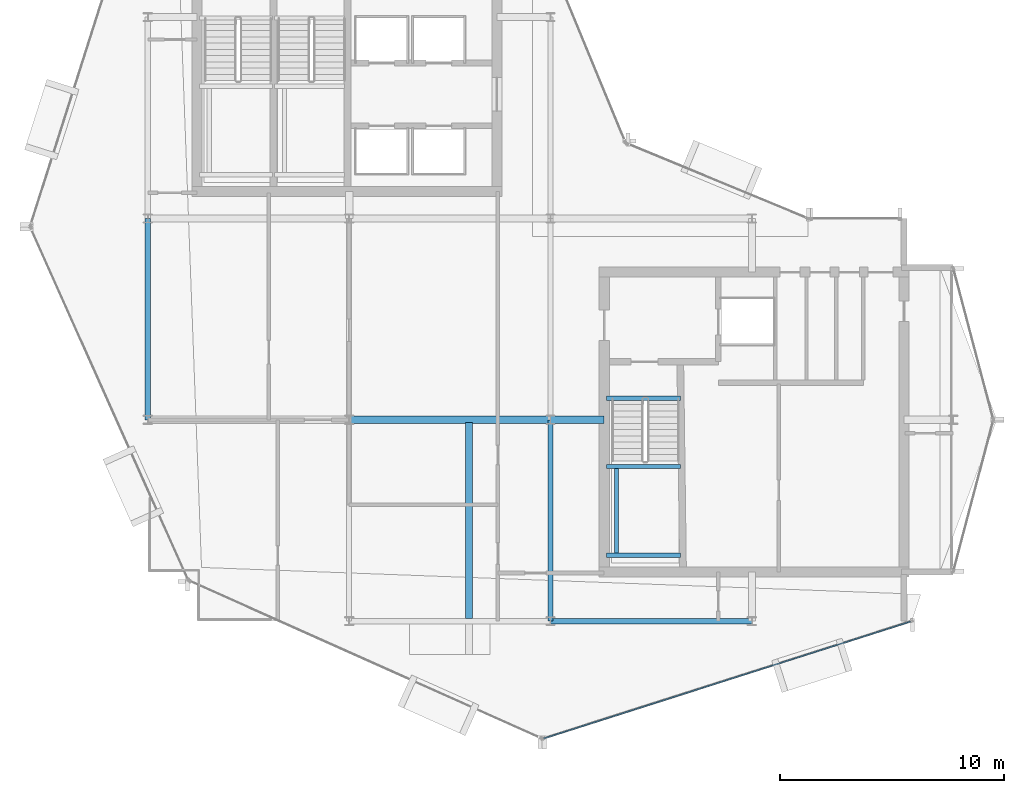
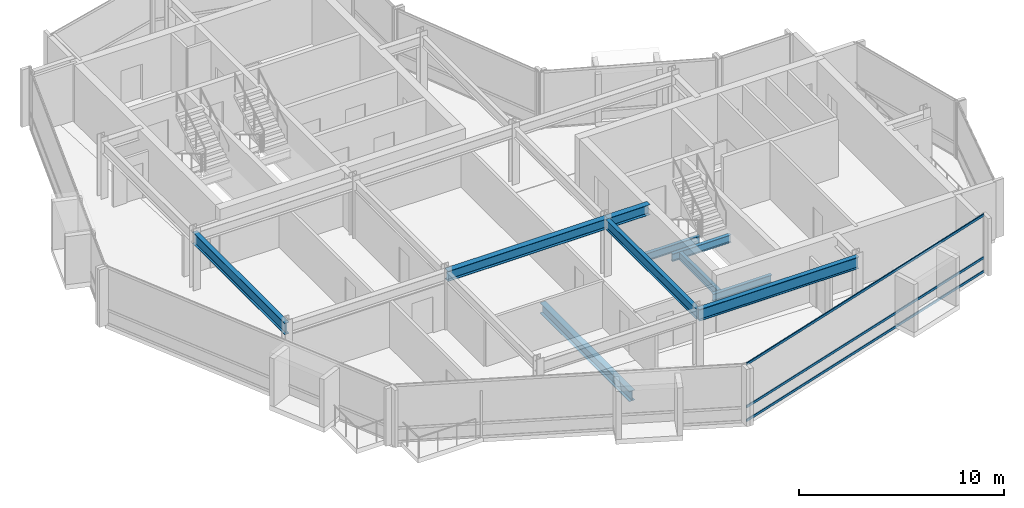
# One storey, part 5 of 19: 10 beams, 3 members, 1 element without a shape of its own.
"""IFC4 building model written with IfcOpenShell, lengths in metres."""

from ifc_helpers import new_model, si_unit, direction, frame, origin, origin_2d, place, context, subcontext, project, spatial, hollow_rectangle, i_section, extrude, material, layer, layer_set, material_profile, profile_set, type_object, element, aggregate, save


model = new_model("IFC4")

# Units and contexts
model_context = context("Model", 3, precision=1e-05, world=origin(), true_north=direction((0.0, 1.0)))
body_context = subcontext(model_context, "Body", "Model", "MODEL_VIEW")
ifc_project = project(units=[si_unit("LENGTHUNIT", "METRE"), si_unit("AREAUNIT", "SQUARE_METRE"), si_unit("VOLUMEUNIT", "CUBIC_METRE"), si_unit("PLANEANGLEUNIT", "RADIAN"), si_unit("MASSUNIT", "GRAM", prefix="KILO")], contexts=[model_context])

# Site, building, storey
site_placement = place(None, origin())
site = spatial("IfcSite", under=ifc_project, at=site_placement, CompositionType="ELEMENT")
building_placement = place(site_placement, origin())
building = spatial("IfcBuilding", under=site, at=building_placement, Name="Solvaryn Broadcast Tower", CompositionType="ELEMENT")
storey_placement = place(building_placement, frame((0.0, 0.0, 255.60009765625)))
storey = spatial("IfcBuildingStorey", under=building, at=storey_placement, Name="L64", CompositionType="ELEMENT", Elevation=255.60009765625)

# Beams
ifc_material_1 = material(Name="Steel ASTM A992 Grade 50", Category="steel")
ifc_material_profile_1 = material_profile(ifc_material_1, i_section(OverallWidth=0.323974609375, OverallDepth=0.611083984375, WebThickness=0.0126953125, FlangeThickness=0.01904296875, FilletRadius=0.014892578125, at=origin_2d()))
ifc_profile_set_1 = profile_set([ifc_material_profile_1], Name="Steel ASTM A992 Grade 50")
beam_type_1 = type_object("IfcBeamType", Name="BM-B1-W24X104", PredefinedType="BEAM", material=ifc_profile_set_1)
beam_1_placement = place(storey_placement, frame((23.35009765625, 17.875, -0.585693359375), z_axis=(0.0, -1.0, 0.0), x_axis=(1.0, 0.0, 0.0)))
element("IfcBeam", 1, at=beam_1_placement, inside=storey, type_object=beam_type_1, Name="L64 Bay-Box Back-Span Beam 1", PredefinedType="BEAM", context=body_context, shape_type="SweptSolid", body=[
    extrude(i_section(OverallWidth=0.323974609375, OverallDepth=0.611083984375, WebThickness=0.0126953125, FlangeThickness=0.01904296875, FilletRadius=0.014892578125, at=origin_2d()), origin(), (0.0, 0.0, 1.0), 8.75),
])
beam_2_placement = place(storey_placement, frame((18.0, 18.0, 3.114501953125), z_axis=(1.0, 0.0, 0.0), x_axis=(0.0, 1.0, 0.0)))
element("IfcBeam", 2, at=beam_2_placement, inside=storey, type_object=beam_type_1, Name="L64 Primary Beam X (18-27 @ Y=18)", PredefinedType="BEAM", context=body_context, shape_type="SweptSolid", body=[
    extrude(i_section(OverallWidth=0.323974609375, OverallDepth=0.611083984375, WebThickness=0.0126953125, FlangeThickness=0.01904296875, FilletRadius=0.014892578125, at=origin_2d()), origin(), (0.0, 0.0, 1.0), 9.0),
])
beam_3_placement = place(storey_placement, frame((27.0, 18.0, 3.114501953125), z_axis=(1.0, 0.0, 0.0), x_axis=(0.0, 1.0, 0.0)))
element("IfcBeam", 3, at=beam_3_placement, inside=storey, type_object=beam_type_1, Name="L64 Core Tie Beam CTE4", PredefinedType="BEAM", context=body_context, shape_type="SweptSolid", body=[
    extrude(i_section(OverallWidth=0.323974609375, OverallDepth=0.611083984375, WebThickness=0.0126953125, FlangeThickness=0.01904296875, FilletRadius=0.014892578125, at=origin_2d()), origin(), (0.0, 0.0, 1.0), 2.39990234375),
])
ifc_material_2 = material(Name="Steel ASTM A992 Grade 50", Category="steel")
ifc_material_profile_2 = material_profile(ifc_material_2, i_section(OverallWidth=0.22802734375, OverallDepth=0.60791015625, WebThickness=0.01123046875, FlangeThickness=0.017333984375, FilletRadius=0.014892578125, at=origin_2d()))
ifc_profile_set_2 = profile_set([ifc_material_profile_2], Name="Steel ASTM A992 Grade 50")
beam_type_2 = type_object("IfcBeamType", Name="BM-B2-W24X76", PredefinedType="BEAM", material=ifc_profile_set_2)
beam_4_placement = place(storey_placement, frame((27.0, 9.0, 3.115966796875), z_axis=(0.0, 1.0, 0.0), x_axis=(-1.0, 0.0, 0.0)))
element("IfcBeam", 4, at=beam_4_placement, inside=storey, type_object=beam_type_2, Name="L64 Primary Beam Y (9-18 @ X=27)", PredefinedType="BEAM", context=body_context, shape_type="SweptSolid", body=[
    extrude(i_section(OverallWidth=0.22802734375, OverallDepth=0.60791015625, WebThickness=0.01123046875, FlangeThickness=0.017333984375, FilletRadius=0.014892578125, at=origin_2d()), origin(), (0.0, 0.0, 1.0), 9.0),
])
ifc_material_3 = material(Name="Steel ASTM A992 Grade 50", Category="steel")
ifc_material_profile_3 = material_profile(ifc_material_3, i_section(OverallWidth=0.18994140625, OverallDepth=0.45703125, WebThickness=0.009033203125, FlangeThickness=0.014404296875, FilletRadius=0.011962890625, at=origin_2d()))
ifc_profile_set_3 = profile_set([ifc_material_profile_3], Name="Steel ASTM A992 Grade 50")
beam_type_3 = type_object("IfcBeamType", Name="BM-B4-W18X50", PredefinedType="BEAM", material=ifc_profile_set_3)
for number, where, z_axis, x_axis, name in (
    (5, (29.5, 18.9599609375, -0.508544921875), (1.0, 0.0, 0.0), (0.0, 1.0, 0.0), "L64 ST3 Stair Well Trimmer Beam"),
    (6, (29.5, 11.949951171875, 1.42138671875), (1.0, 0.0, 0.0), (0.0, 1.0, 0.0), "L64 ST3 Landing Support Beam 1A"),
    (7, (29.5, 15.909912109375, 1.42138671875), (1.0, 0.0, 0.0), (0.0, 1.0, 0.0), "L64 ST3 Landing Support Beam 1B"),
):
    element("IfcBeam", number, at=place(storey_placement, frame(where, z_axis=z_axis, x_axis=x_axis)), inside=storey, type_object=beam_type_3, Name=name, PredefinedType="BEAM", context=body_context, shape_type="SweptSolid", body=[
        extrude(i_section(OverallWidth=0.18994140625, OverallDepth=0.45703125, WebThickness=0.009033203125, FlangeThickness=0.014404296875, FilletRadius=0.011962890625, at=origin_2d()), origin(), (0.0, 0.0, 1.0), 3.320068359375),
    ])
beam_5_placement = place(storey_placement, frame((29.949951171875, 11.949951171875, 1.42138671875), z_axis=(0.0, 1.0, 0.0), x_axis=(-1.0, 0.0, 0.0)))
element("IfcBeam", 8, at=beam_5_placement, inside=storey, type_object=beam_type_3, Name="L64 ST3 Landing Cross Stringer 1C", PredefinedType="BEAM", context=body_context, shape_type="SweptSolid", body=[
    extrude(i_section(OverallWidth=0.18994140625, OverallDepth=0.45703125, WebThickness=0.009033203125, FlangeThickness=0.014404296875, FilletRadius=0.011962890625, at=origin_2d()), origin(), (0.0, 0.0, 1.0), 3.9599609375),
])
ifc_material_4 = material(Name="Steel ASTM A992 Grade 50", Category="steel")
ifc_material_profile_4 = material_profile(ifc_material_4, i_section(OverallWidth=0.256103515625, OverallDepth=0.693115234375, WebThickness=0.014404296875, FlangeThickness=0.023681640625, FilletRadius=0.01611328125, at=origin_2d()))
ifc_profile_set_4 = profile_set([ifc_material_profile_4], Name="Steel ASTM A992 Grade 50")
beam_type_4 = type_object("IfcBeamType", Name="BM-SP3-W27X114", PredefinedType="USERDEFINED", material=ifc_profile_set_4)
for number, where, z_axis, x_axis, name in (
    (9, (27.0, 9.0, 3.073486328125), (1.0, 0.0, 0.0), (0.0, 1.0, 0.0), "L64 Spandrel Beam X (27-36 @ Y=9)"),
    (10, (9.0, 18.0, 3.073486328125), (0.0, 1.0, 0.0), (-1.0, 0.0, 0.0), "L64 Spandrel Beam Y (18-27 @ X=9)"),
):
    element("IfcBeam", number, at=place(storey_placement, frame(where, z_axis=z_axis, x_axis=x_axis)), inside=storey, type_object=beam_type_4, Name=name, ObjectType="SPANDREL", PredefinedType="USERDEFINED", context=body_context, shape_type="SweptSolid", body=[
        extrude(i_section(OverallWidth=0.256103515625, OverallDepth=0.693115234375, WebThickness=0.014404296875, FlangeThickness=0.023681640625, FilletRadius=0.01611328125, at=origin_2d()), origin(), (0.0, 0.0, 1.0), 9.0),
    ])

# Curtain wall, members
ifc_material_5 = material(Name="Aluminium and Terracotta Unitised Curtain Wall", Category="masonry")
ifc_layer = layer(ifc_material_5, 0.199951171875)
ifc_layer_set = layer_set([ifc_layer], Name="CW-SYS2-LOWMID")
curtain_wall_type = type_object("IfcCurtainWallType", Name="CW-SYS2-LOWMID", PredefinedType="NOTDEFINED", material=ifc_layer_set)
curtain_wall_placement = place(storey_placement, origin())
curtain_wall = element("IfcCurtainWall", 11, at=curtain_wall_placement, inside=storey, type_object=curtain_wall_type, Name="L64 Curtain Wall DR4", PredefinedType="NOTDEFINED")
ifc_material_6 = material(Name="Anodised Aluminium 6063-T6", Category="aluminium")
ifc_material_profile_5 = material_profile(ifc_material_6, hollow_rectangle(XDim=0.06494140625, YDim=0.14990234375, WallThickness=0.00390625, InnerFilletRadius=0.00390625, OuterFilletRadius=0.008056640625, at=origin_2d()))
ifc_profile_set_5 = profile_set([ifc_material_profile_5], Name="Anodised Aluminium 6063-T6")
member_type = type_object("IfcMemberType", Name="CW-TRN-150", PredefinedType="USERDEFINED", material=ifc_profile_set_5)
member_1_placement = place(storey_placement, frame((26.693115234375, 3.756103515625, 0.02978515625), z_axis=(0.952794352661, 0.303616405252, 0.0), x_axis=(-0.303616405252, 0.952794352661, 0.0)))
member_1 = element("IfcMember", 12, at=member_1_placement, type_object=member_type, Name="CWS2 transom 1.1", ObjectType="TRANSOM", PredefinedType="USERDEFINED", context=body_context, shape_type="SweptSolid", body=[
    extrude(hollow_rectangle(XDim=0.06494140625, YDim=0.14990234375, WallThickness=0.00390625, InnerFilletRadius=0.00390625, OuterFilletRadius=0.008056640625, at=origin_2d()), origin(), (0.0, 0.0, 1.0), 17.211181640625),
])
member_2_placement = place(storey_placement, frame((26.693115234375, 3.756103515625, 0.849853515625), z_axis=(0.952794352661, 0.303616405252, 0.0), x_axis=(-0.303616405252, 0.952794352661, 0.0)))
member_2 = element("IfcMember", 13, at=member_2_placement, type_object=member_type, Name="CWS2 transom 1.2", ObjectType="TRANSOM", PredefinedType="USERDEFINED", context=body_context, shape_type="SweptSolid", body=[
    extrude(hollow_rectangle(XDim=0.06494140625, YDim=0.14990234375, WallThickness=0.00390625, InnerFilletRadius=0.00390625, OuterFilletRadius=0.008056640625, at=origin_2d()), origin(), (0.0, 0.0, 1.0), 17.211181640625),
])
member_3_placement = place(storey_placement, frame((26.693115234375, 3.756103515625, 3.389892578125), z_axis=(0.952794352661, 0.303616405252, 0.0), x_axis=(-0.303616405252, 0.952794352661, 0.0)))
member_3 = element("IfcMember", 14, at=member_3_placement, type_object=member_type, Name="CWS2 transom 1.3", ObjectType="TRANSOM", PredefinedType="USERDEFINED", context=body_context, shape_type="SweptSolid", body=[
    extrude(hollow_rectangle(XDim=0.06494140625, YDim=0.14990234375, WallThickness=0.00390625, InnerFilletRadius=0.00390625, OuterFilletRadius=0.008056640625, at=origin_2d()), origin(), (0.0, 0.0, 1.0), 17.211181640625),
])
aggregate(curtain_wall, [member_1, member_2, member_3])

save(model, "model.ifc")
